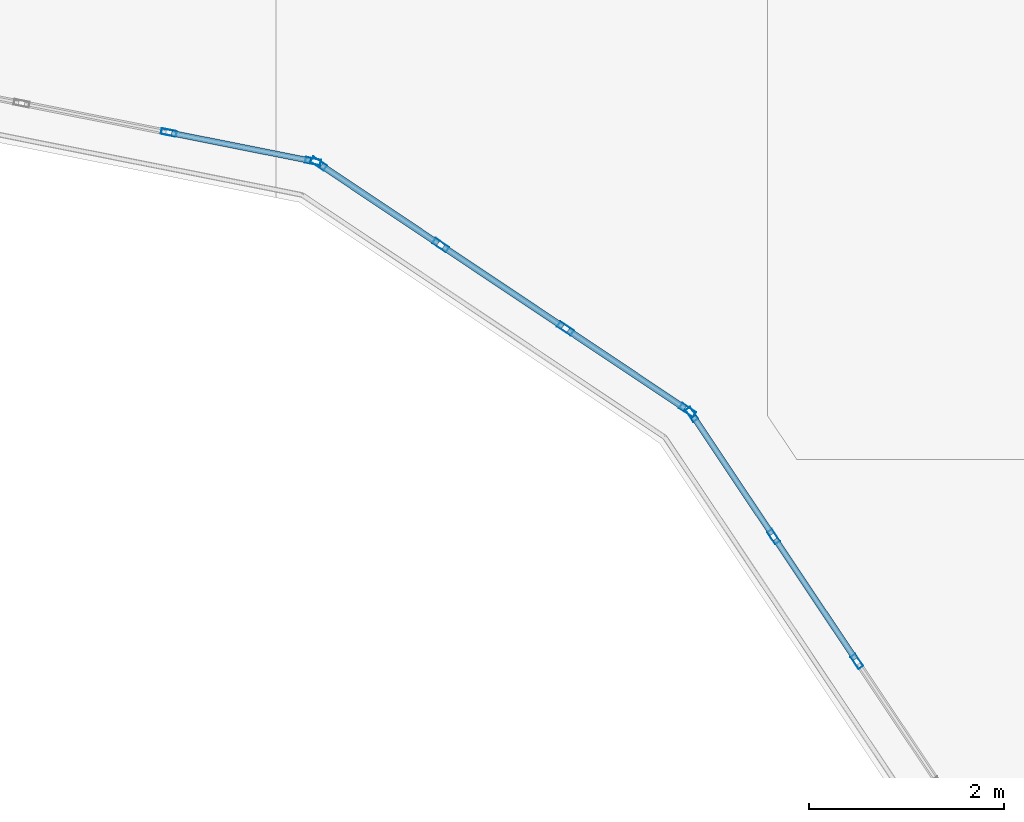
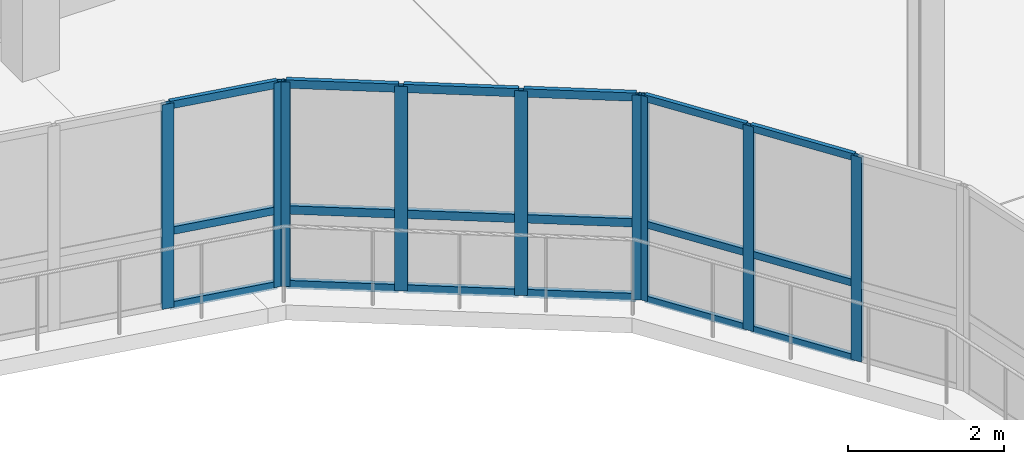
# One storey, part 29 of 103: 27 members, 3 elements without a shape of their own.
"""IFC4 building model written with IfcOpenShell, lengths in metres."""

from ifc_helpers import new_model, si_unit, direction, frame, origin, origin_2d, place, context, subcontext, project, spatial, hollow_rectangle, extrude, material, layer, layer_set, material_profile, profile_set, type_object, element, aggregate, save


model = new_model("IFC4")

# Units and contexts
model_context = context("Model", 3, precision=1e-05, world=origin(), true_north=direction((0.0, 1.0)))
body_context = subcontext(model_context, "Body", "Model", "MODEL_VIEW")
ifc_project = project(units=[si_unit("LENGTHUNIT", "METRE"), si_unit("AREAUNIT", "SQUARE_METRE"), si_unit("VOLUMEUNIT", "CUBIC_METRE"), si_unit("PLANEANGLEUNIT", "RADIAN"), si_unit("MASSUNIT", "GRAM", prefix="KILO"), si_unit("THERMODYNAMICTEMPERATUREUNIT", "KELVIN")], contexts=[model_context])

# Site, building, storey
site_placement = place(None, origin())
site = spatial("IfcSite", under=ifc_project, at=site_placement, CompositionType="ELEMENT")
building_placement = place(site_placement, origin())
building = spatial("IfcBuilding", under=site, at=building_placement, Name="Lustrewick Department Store", CompositionType="ELEMENT")
storey_placement = place(building_placement, frame((0.0, 0.0, 16.5)))
storey = spatial("IfcBuildingStorey", under=building, at=storey_placement, Name="L04", CompositionType="ELEMENT", Elevation=16.5)

# Curtain wall, members
ifc_material = material(Name="Thermally broken aluminium 6063-T5", Category="aluminium")
ifc_layer_1 = layer(ifc_material, 0.169921875, Name="Thermally broken aluminium 6063-T5")
ifc_layer_set_1 = layer_set([ifc_layer_1], Name="Thermally broken aluminium 6063-T5")
curtain_wall_type_1 = type_object("IfcCurtainWallType", Name="CW16", PredefinedType="NOTDEFINED", material=ifc_layer_set_1)
curtain_wall_1_placement = place(storey_placement, origin())
curtain_wall_1 = element("IfcCurtainWall", 1, at=curtain_wall_1_placement, inside=storey, type_object=curtain_wall_type_1, Name="L04 Atrium Glazed Screen CW16", PredefinedType="NOTDEFINED")
ifc_material_profile_1 = material_profile(ifc_material, hollow_rectangle(XDim=0.06494140625, YDim=0.169921875, WallThickness=0.00390625, at=origin_2d()), Name="ALU-M 65x170x4")
ifc_profile_set_1 = profile_set([ifc_material_profile_1], Name="Thermally broken aluminium 6063-T5")
member_type_1 = type_object("IfcMemberType", Name="CW16-M1", PredefinedType="MULLION", material=ifc_profile_set_1)
member_1_placement = place(storey_placement, frame((37.752197265625, 75.59716796875, 0.0), z_axis=(0.0, 0.0, 1.0), x_axis=(-0.555578313862, -0.831464212799, 0.0)))
member_1 = element("IfcMember", 2, at=member_1_placement, type_object=member_type_1, Name="CW16 mullion 1", PredefinedType="MULLION", context=body_context, shape_type="SweptSolid", body=[
    extrude(hollow_rectangle(XDim=0.06494140625, YDim=0.169921875, WallThickness=0.00390625, at=origin_2d()), origin(), (0.0, 0.0, 1.0), 3.199951171875),
])
member_2_placement = place(storey_placement, frame((36.497802734375, 76.435546875, 0.0), z_axis=(0.0, 0.0, 1.0), x_axis=(-0.555578313862, -0.831464212799, 0.0)))
member_2 = element("IfcMember", 3, at=member_2_placement, type_object=member_type_1, Name="CW16 mullion 2", PredefinedType="MULLION", context=body_context, shape_type="SweptSolid", body=[
    extrude(hollow_rectangle(XDim=0.06494140625, YDim=0.169921875, WallThickness=0.00390625, at=origin_2d()), origin(), (0.0, 0.0, 1.0), 3.199951171875),
])
member_3_placement = place(storey_placement, frame((35.21630859375, 77.291748046875, 0.0), z_axis=(0.0, 0.0, 1.0), x_axis=(-0.555578313862, -0.831464212799, 0.0)))
member_3 = element("IfcMember", 4, at=member_3_placement, type_object=member_type_1, Name="CW16 mullion 3", PredefinedType="MULLION", context=body_context, shape_type="SweptSolid", body=[
    extrude(hollow_rectangle(XDim=0.06494140625, YDim=0.169921875, WallThickness=0.00390625, at=origin_2d()), origin(), (0.0, 0.0, 1.0), 3.199951171875),
])
member_4_placement = place(storey_placement, frame((33.9619140625, 78.1298828125, 0.0), z_axis=(0.0, 0.0, 1.0), x_axis=(-0.555578313862, -0.831464212799, 0.0)))
member_4 = element("IfcMember", 5, at=member_4_placement, type_object=member_type_1, Name="CW16 mullion 4", PredefinedType="MULLION", context=body_context, shape_type="SweptSolid", body=[
    extrude(hollow_rectangle(XDim=0.06494140625, YDim=0.169921875, WallThickness=0.00390625, at=origin_2d()), origin(), (0.0, 0.0, 1.0), 3.199951171875),
])
ifc_material_profile_2 = material_profile(ifc_material, hollow_rectangle(XDim=0.06494140625, YDim=0.1298828125, WallThickness=0.00341796875, at=origin_2d()), Name="ALU-T 65x130x3.5")
ifc_profile_set_2 = profile_set([ifc_material_profile_2], Name="Thermally broken aluminium 6063-T5")
member_type_2 = type_object("IfcMemberType", Name="CW16-T1", PredefinedType="USERDEFINED", material=ifc_profile_set_2)
member_5_placement = place(storey_placement, frame((37.72509765625, 75.615234375, 0.032470703125), z_axis=(-0.831425427556, 0.555636354474, 0.0), x_axis=(-0.555636354474, -0.831425427556, 0.0)))
member_5 = element("IfcMember", 6, at=member_5_placement, type_object=member_type_2, Name="CW16 transom 1.1", ObjectType="TRANSOM", PredefinedType="USERDEFINED", context=body_context, shape_type="SweptSolid", body=[
    extrude(hollow_rectangle(XDim=0.06494140625, YDim=0.1298828125, WallThickness=0.00341796875, at=origin_2d()), origin(), (0.0, 0.0, 1.0), 1.44384765625),
])
member_6_placement = place(storey_placement, frame((37.72509765625, 75.615234375, 1.199951171875), z_axis=(-0.831425427556, 0.555636354474, 0.0), x_axis=(-0.555636354474, -0.831425427556, 0.0)))
member_6 = element("IfcMember", 7, at=member_6_placement, type_object=member_type_2, Name="CW16 transom 1.2", ObjectType="TRANSOM", PredefinedType="USERDEFINED", context=body_context, shape_type="SweptSolid", body=[
    extrude(hollow_rectangle(XDim=0.06494140625, YDim=0.1298828125, WallThickness=0.00341796875, at=origin_2d()), origin(), (0.0, 0.0, 1.0), 1.44384765625),
])
member_7_placement = place(storey_placement, frame((37.72509765625, 75.615234375, 3.16748046875), z_axis=(-0.831425427556, 0.555636354474, 0.0), x_axis=(-0.555636354474, -0.831425427556, 0.0)))
member_7 = element("IfcMember", 8, at=member_7_placement, type_object=member_type_2, Name="CW16 transom 1.3", ObjectType="TRANSOM", PredefinedType="USERDEFINED", context=body_context, shape_type="SweptSolid", body=[
    extrude(hollow_rectangle(XDim=0.06494140625, YDim=0.1298828125, WallThickness=0.00341796875, at=origin_2d()), origin(), (0.0, 0.0, 1.0), 1.44384765625),
])
member_8_placement = place(storey_placement, frame((36.470703125, 76.45361328125, 0.032470703125), z_axis=(-0.831464570536, 0.555577778482, 0.0), x_axis=(-0.555577778482, -0.831464570536, 0.0)))
member_8 = element("IfcMember", 9, at=member_8_placement, type_object=member_type_2, Name="CW16 transom 2.1", ObjectType="TRANSOM", PredefinedType="USERDEFINED", context=body_context, shape_type="SweptSolid", body=[
    extrude(hollow_rectangle(XDim=0.06494140625, YDim=0.1298828125, WallThickness=0.00341796875, at=origin_2d()), origin(), (0.0, 0.0, 1.0), 1.47607421875),
])
member_9_placement = place(storey_placement, frame((36.470703125, 76.45361328125, 1.199951171875), z_axis=(-0.831464570536, 0.555577778482, 0.0), x_axis=(-0.555577778482, -0.831464570536, 0.0)))
member_9 = element("IfcMember", 10, at=member_9_placement, type_object=member_type_2, Name="CW16 transom 2.2", ObjectType="TRANSOM", PredefinedType="USERDEFINED", context=body_context, shape_type="SweptSolid", body=[
    extrude(hollow_rectangle(XDim=0.06494140625, YDim=0.1298828125, WallThickness=0.00341796875, at=origin_2d()), origin(), (0.0, 0.0, 1.0), 1.47607421875),
])
member_10_placement = place(storey_placement, frame((36.470703125, 76.45361328125, 3.16748046875), z_axis=(-0.831464570536, 0.555577778482, 0.0), x_axis=(-0.555577778482, -0.831464570536, 0.0)))
member_10 = element("IfcMember", 11, at=member_10_placement, type_object=member_type_2, Name="CW16 transom 2.3", ObjectType="TRANSOM", PredefinedType="USERDEFINED", context=body_context, shape_type="SweptSolid", body=[
    extrude(hollow_rectangle(XDim=0.06494140625, YDim=0.1298828125, WallThickness=0.00341796875, at=origin_2d()), origin(), (0.0, 0.0, 1.0), 1.47607421875),
])
member_11_placement = place(storey_placement, frame((35.189208984375, 77.309814453125, 0.032470703125), z_axis=(-0.831503542147, 0.555519450062, 0.0), x_axis=(-0.555519450062, -0.831503542147, 0.0)))
member_11 = element("IfcMember", 12, at=member_11_placement, type_object=member_type_2, Name="CW16 transom 3.1", ObjectType="TRANSOM", PredefinedType="USERDEFINED", context=body_context, shape_type="SweptSolid", body=[
    extrude(hollow_rectangle(XDim=0.06494140625, YDim=0.1298828125, WallThickness=0.00341796875, at=origin_2d()), origin(), (0.0, 0.0, 1.0), 1.443603515625),
])
member_12_placement = place(storey_placement, frame((35.189208984375, 77.309814453125, 1.199951171875), z_axis=(-0.831503542147, 0.555519450062, 0.0), x_axis=(-0.555519450062, -0.831503542147, 0.0)))
member_12 = element("IfcMember", 13, at=member_12_placement, type_object=member_type_2, Name="CW16 transom 3.2", ObjectType="TRANSOM", PredefinedType="USERDEFINED", context=body_context, shape_type="SweptSolid", body=[
    extrude(hollow_rectangle(XDim=0.06494140625, YDim=0.1298828125, WallThickness=0.00341796875, at=origin_2d()), origin(), (0.0, 0.0, 1.0), 1.443603515625),
])
member_13_placement = place(storey_placement, frame((35.189208984375, 77.309814453125, 3.16748046875), z_axis=(-0.831503542147, 0.555519450062, 0.0), x_axis=(-0.555519450062, -0.831503542147, 0.0)))
member_13 = element("IfcMember", 14, at=member_13_placement, type_object=member_type_2, Name="CW16 transom 3.3", ObjectType="TRANSOM", PredefinedType="USERDEFINED", context=body_context, shape_type="SweptSolid", body=[
    extrude(hollow_rectangle(XDim=0.06494140625, YDim=0.1298828125, WallThickness=0.00341796875, at=origin_2d()), origin(), (0.0, 0.0, 1.0), 1.443603515625),
])
aggregate(curtain_wall_1, [member_1, member_2, member_3, member_4, member_5, member_6, member_7, member_8, member_9, member_10, member_11, member_12, member_13])

ifc_layer_2 = layer(ifc_material, 0.159912109375, Name="Thermally broken aluminium 6063-T5")
ifc_layer_set_2 = layer_set([ifc_layer_2], Name="Thermally broken aluminium 6063-T5")
curtain_wall_type_2 = type_object("IfcCurtainWallType", Name="CW17", PredefinedType="NOTDEFINED", material=ifc_layer_set_2)
curtain_wall_2_placement = place(storey_placement, origin())
curtain_wall_2 = element("IfcCurtainWall", 15, at=curtain_wall_2_placement, inside=storey, type_object=curtain_wall_type_2, Name="L04 Atrium Glazed Screen CW17", PredefinedType="NOTDEFINED")
ifc_material_profile_3 = material_profile(ifc_material, hollow_rectangle(XDim=0.06005859375, YDim=0.159912109375, WallThickness=0.00390625, at=origin_2d()), Name="ALU-M 60x160x4")
ifc_profile_set_3 = profile_set([ifc_material_profile_3], Name="Thermally broken aluminium 6063-T5")
member_type_3 = type_object("IfcMemberType", Name="CW17-M1", PredefinedType="MULLION", material=ifc_profile_set_3)
member_14_placement = place(storey_placement, frame((33.9052734375, 78.15380859375, 0.0), z_axis=(0.0, 0.0, 1.0), x_axis=(-0.195084537521, -0.980786430993, 0.0)))
member_14 = element("IfcMember", 16, at=member_14_placement, type_object=member_type_3, Name="CW17 mullion 1", PredefinedType="MULLION", context=body_context, shape_type="SweptSolid", body=[
    extrude(hollow_rectangle(XDim=0.06005859375, YDim=0.159912109375, WallThickness=0.00390625, at=origin_2d()), origin(), (0.0, 0.0, 1.0), 3.199951171875),
])
member_15_placement = place(storey_placement, frame((32.423095703125, 78.44873046875, 0.0), z_axis=(0.0, 0.0, 1.0), x_axis=(-0.195084537521, -0.980786430993, 0.0)))
member_15 = element("IfcMember", 17, at=member_15_placement, type_object=member_type_3, Name="CW17 mullion 2", PredefinedType="MULLION", context=body_context, shape_type="SweptSolid", body=[
    extrude(hollow_rectangle(XDim=0.06005859375, YDim=0.159912109375, WallThickness=0.00390625, at=origin_2d()), origin(), (0.0, 0.0, 1.0), 3.199951171875),
])
ifc_material_profile_4 = material_profile(ifc_material, hollow_rectangle(XDim=0.06005859375, YDim=0.1201171875, WallThickness=0.00341796875, at=origin_2d()), Name="ALU-T 60x120x3.5")
ifc_profile_set_4 = profile_set([ifc_material_profile_4], Name="Thermally broken aluminium 6063-T5")
member_type_4 = type_object("IfcMemberType", Name="CW17-T1", PredefinedType="USERDEFINED", material=ifc_profile_set_4)
member_16_placement = place(storey_placement, frame((33.8759765625, 78.15966796875, 0.030029296875), z_axis=(-0.980774305612, 0.195145487909, 0.0), x_axis=(-0.195145487909, -0.980774305612, 0.0)))
member_16 = element("IfcMember", 18, at=member_16_placement, type_object=member_type_4, Name="CW17 transom 1.1", ObjectType="TRANSOM", PredefinedType="USERDEFINED", context=body_context, shape_type="SweptSolid", body=[
    extrude(hollow_rectangle(XDim=0.06005859375, YDim=0.1201171875, WallThickness=0.00341796875, at=origin_2d()), origin(), (0.0, 0.0, 1.0), 1.451171875),
])
member_17_placement = place(storey_placement, frame((33.8759765625, 78.15966796875, 1.199951171875), z_axis=(-0.980774305612, 0.195145487909, 0.0), x_axis=(-0.195145487909, -0.980774305612, 0.0)))
member_17 = element("IfcMember", 19, at=member_17_placement, type_object=member_type_4, Name="CW17 transom 1.2", ObjectType="TRANSOM", PredefinedType="USERDEFINED", context=body_context, shape_type="SweptSolid", body=[
    extrude(hollow_rectangle(XDim=0.06005859375, YDim=0.1201171875, WallThickness=0.00341796875, at=origin_2d()), origin(), (0.0, 0.0, 1.0), 1.451171875),
])
member_18_placement = place(storey_placement, frame((33.8759765625, 78.15966796875, 3.169921875), z_axis=(-0.980774305612, 0.195145487909, 0.0), x_axis=(-0.195145487909, -0.980774305612, 0.0)))
member_18 = element("IfcMember", 20, at=member_18_placement, type_object=member_type_4, Name="CW17 transom 1.3", ObjectType="TRANSOM", PredefinedType="USERDEFINED", context=body_context, shape_type="SweptSolid", body=[
    extrude(hollow_rectangle(XDim=0.06005859375, YDim=0.1201171875, WallThickness=0.00341796875, at=origin_2d()), origin(), (0.0, 0.0, 1.0), 1.451171875),
])
aggregate(curtain_wall_2, [member_14, member_15, member_16, member_17, member_18])

ifc_layer_3 = layer(ifc_material, 0.14990234375, Name="Thermally broken aluminium 6063-T5")
ifc_layer_set_3 = layer_set([ifc_layer_3], Name="Thermally broken aluminium 6063-T5")
curtain_wall_type_3 = type_object("IfcCurtainWallType", Name="CW18", PredefinedType="NOTDEFINED", material=ifc_layer_set_3)
curtain_wall_3_placement = place(storey_placement, origin())
curtain_wall_3 = element("IfcCurtainWall", 21, at=curtain_wall_3_placement, inside=storey, type_object=curtain_wall_type_3, Name="L04 Atrium Glazed Screen CW18", PredefinedType="NOTDEFINED")
ifc_material_profile_5 = material_profile(ifc_material, hollow_rectangle(XDim=0.06005859375, YDim=0.14990234375, WallThickness=0.00341796875, at=origin_2d()), Name="ALU-M 60x150x3.5")
ifc_profile_set_5 = profile_set([ifc_material_profile_5], Name="Thermally broken aluminium 6063-T5")
member_type_5 = type_object("IfcMemberType", Name="CW18-M1", PredefinedType="MULLION", material=ifc_profile_set_5)
member_19_placement = place(storey_placement, frame((39.49169921875, 73.016357421875, 0.0), z_axis=(0.0, 0.0, 1.0), x_axis=(-0.831464212799, -0.555578313862, 0.0)))
member_19 = element("IfcMember", 22, at=member_19_placement, type_object=member_type_5, Name="CW18 mullion 2", PredefinedType="MULLION", context=body_context, shape_type="SweptSolid", body=[
    extrude(hollow_rectangle(XDim=0.06005859375, YDim=0.14990234375, WallThickness=0.00341796875, at=origin_2d()), origin(), (0.0, 0.0, 1.0), 3.199951171875),
])
member_20_placement = place(storey_placement, frame((38.635498046875, 74.2978515625, 0.0), z_axis=(0.0, 0.0, 1.0), x_axis=(-0.831464212799, -0.555578313862, 0.0)))
member_20 = element("IfcMember", 23, at=member_20_placement, type_object=member_type_5, Name="CW18 mullion 3", PredefinedType="MULLION", context=body_context, shape_type="SweptSolid", body=[
    extrude(hollow_rectangle(XDim=0.06005859375, YDim=0.14990234375, WallThickness=0.00341796875, at=origin_2d()), origin(), (0.0, 0.0, 1.0), 3.199951171875),
])
member_21_placement = place(storey_placement, frame((37.7958984375, 75.55419921875, 0.0), z_axis=(0.0, 0.0, 1.0), x_axis=(-0.831464212799, -0.555578313862, 0.0)))
member_21 = element("IfcMember", 24, at=member_21_placement, type_object=member_type_5, Name="CW18 mullion 4", PredefinedType="MULLION", context=body_context, shape_type="SweptSolid", body=[
    extrude(hollow_rectangle(XDim=0.06005859375, YDim=0.14990234375, WallThickness=0.00341796875, at=origin_2d()), origin(), (0.0, 0.0, 1.0), 3.199951171875),
])
ifc_material_profile_6 = material_profile(ifc_material, hollow_rectangle(XDim=0.06005859375, YDim=0.110107421875, WallThickness=0.0029296875, at=origin_2d()), Name="ALU-T 60x110x3")
ifc_profile_set_6 = profile_set([ifc_material_profile_6], Name="Thermally broken aluminium 6063-T5")
member_type_6 = type_object("IfcMemberType", Name="CW18-T1", PredefinedType="USERDEFINED", material=ifc_profile_set_6)
member_22_placement = place(storey_placement, frame((39.47509765625, 73.041259765625, 0.030029296875), z_axis=(-0.555650791413, 0.83141577926, 0.0), x_axis=(-0.83141577926, -0.555650791413, 0.0)))
member_22 = element("IfcMember", 25, at=member_22_placement, type_object=member_type_6, Name="CW18 transom 2.1", ObjectType="TRANSOM", PredefinedType="USERDEFINED", context=body_context, shape_type="SweptSolid", body=[
    extrude(hollow_rectangle(XDim=0.06005859375, YDim=0.110107421875, WallThickness=0.0029296875, at=origin_2d()), origin(), (0.0, 0.0, 1.0), 1.481201171875),
])
member_23_placement = place(storey_placement, frame((39.47509765625, 73.041259765625, 1.199951171875), z_axis=(-0.555650791413, 0.83141577926, 0.0), x_axis=(-0.83141577926, -0.555650791413, 0.0)))
member_23 = element("IfcMember", 26, at=member_23_placement, type_object=member_type_6, Name="CW18 transom 2.2", ObjectType="TRANSOM", PredefinedType="USERDEFINED", context=body_context, shape_type="SweptSolid", body=[
    extrude(hollow_rectangle(XDim=0.06005859375, YDim=0.110107421875, WallThickness=0.0029296875, at=origin_2d()), origin(), (0.0, 0.0, 1.0), 1.481201171875),
])
member_24_placement = place(storey_placement, frame((39.47509765625, 73.041259765625, 3.169921875), z_axis=(-0.555650791413, 0.83141577926, 0.0), x_axis=(-0.83141577926, -0.555650791413, 0.0)))
member_24 = element("IfcMember", 27, at=member_24_placement, type_object=member_type_6, Name="CW18 transom 2.3", ObjectType="TRANSOM", PredefinedType="USERDEFINED", context=body_context, shape_type="SweptSolid", body=[
    extrude(hollow_rectangle(XDim=0.06005859375, YDim=0.110107421875, WallThickness=0.0029296875, at=origin_2d()), origin(), (0.0, 0.0, 1.0), 1.481201171875),
])
member_25_placement = place(storey_placement, frame((38.618896484375, 74.32275390625, 0.030029296875), z_axis=(-0.555670388234, 0.831402682002, 0.0), x_axis=(-0.831402682002, -0.555670388234, 0.0)))
member_25 = element("IfcMember", 28, at=member_25_placement, type_object=member_type_6, Name="CW18 transom 3.1", ObjectType="TRANSOM", PredefinedType="USERDEFINED", context=body_context, shape_type="SweptSolid", body=[
    extrude(hollow_rectangle(XDim=0.06005859375, YDim=0.110107421875, WallThickness=0.0029296875, at=origin_2d()), origin(), (0.0, 0.0, 1.0), 1.451171875),
])
member_26_placement = place(storey_placement, frame((38.618896484375, 74.32275390625, 1.199951171875), z_axis=(-0.555670388234, 0.831402682002, 0.0), x_axis=(-0.831402682002, -0.555670388234, 0.0)))
member_26 = element("IfcMember", 29, at=member_26_placement, type_object=member_type_6, Name="CW18 transom 3.2", ObjectType="TRANSOM", PredefinedType="USERDEFINED", context=body_context, shape_type="SweptSolid", body=[
    extrude(hollow_rectangle(XDim=0.06005859375, YDim=0.110107421875, WallThickness=0.0029296875, at=origin_2d()), origin(), (0.0, 0.0, 1.0), 1.451171875),
])
member_27_placement = place(storey_placement, frame((38.618896484375, 74.32275390625, 3.169921875), z_axis=(-0.555670388234, 0.831402682002, 0.0), x_axis=(-0.831402682002, -0.555670388234, 0.0)))
member_27 = element("IfcMember", 30, at=member_27_placement, type_object=member_type_6, Name="CW18 transom 3.3", ObjectType="TRANSOM", PredefinedType="USERDEFINED", context=body_context, shape_type="SweptSolid", body=[
    extrude(hollow_rectangle(XDim=0.06005859375, YDim=0.110107421875, WallThickness=0.0029296875, at=origin_2d()), origin(), (0.0, 0.0, 1.0), 1.451171875),
])
aggregate(curtain_wall_3, [member_19, member_20, member_21, member_22, member_23, member_24, member_25, member_26, member_27])

save(model, "model.ifc")
